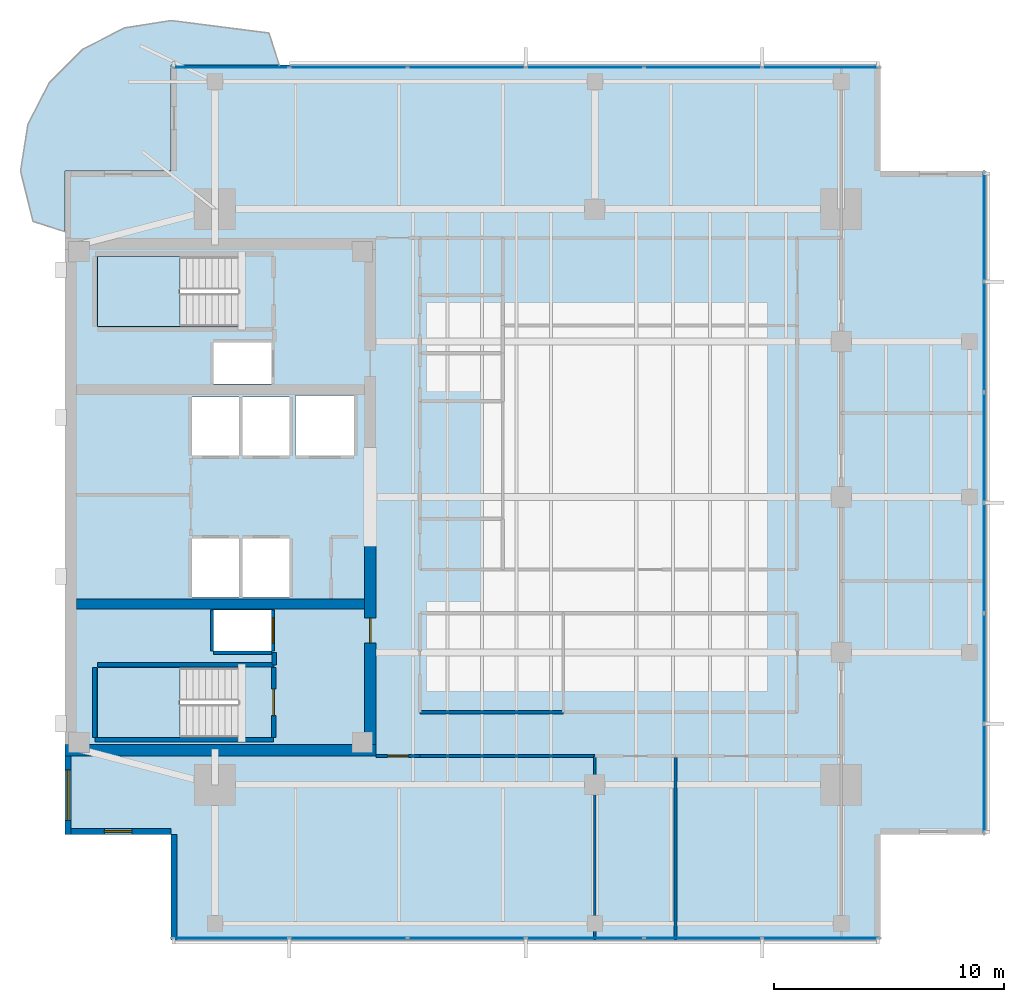
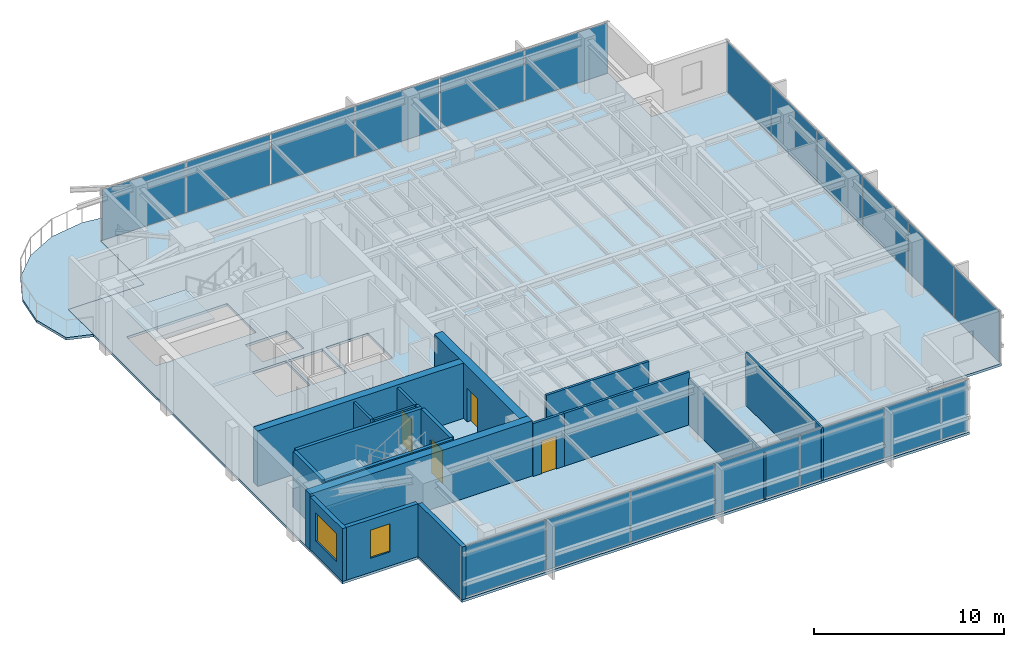
# One storey, part 7 of 14: 19 walls, 18 plates, 4 doors, 4 slabs, 2 windows, 6 openings, 5 elements without a shape of their own.
"""IFC4 building model written with IfcOpenShell, lengths in metres."""

from ifc_helpers import new_model, si_unit, direction, frame, frame_2d, origin, origin_2d, place, context, subcontext, project, spatial, polyline, rectangle, outline, extrude, material, layer, layer_set, type_object, element, fill, aggregate, save


model = new_model("IFC4")

# Units and contexts
model_context = context("Model", 3, precision=1e-05, world=origin(), true_north=direction((0.0, 1.0)))
body_context = subcontext(model_context, "Body", "Model", "MODEL_VIEW")
ifc_project = project(units=[si_unit("LENGTHUNIT", "METRE"), si_unit("AREAUNIT", "SQUARE_METRE"), si_unit("VOLUMEUNIT", "CUBIC_METRE"), si_unit("PLANEANGLEUNIT", "RADIAN"), si_unit("MASSUNIT", "GRAM", prefix="KILO")], contexts=[model_context])

# Site, building, storey
site_placement = place(None, origin())
site = spatial("IfcSite", under=ifc_project, at=site_placement, CompositionType="ELEMENT")
building_placement = place(site_placement, origin())
building = spatial("IfcBuilding", under=site, at=building_placement, Name="Kinhvarn Gate Tower", CompositionType="ELEMENT")
storey_placement = place(building_placement, frame((0.0, 0.0, 277.64990234375)))
storey = spatial("IfcBuildingStorey", under=building, at=storey_placement, Name="L74", CompositionType="ELEMENT", Elevation=277.64990234375)

# Curtain wall, plates
ifc_material_1 = material(Name="Anodised aluminium AW-6063", Category="aluminium")
ifc_layer_1 = layer(ifc_material_1, 0.179931640625)
ifc_layer_set_1 = layer_set([ifc_layer_1], Name="Anodised aluminium AW-6063")
curtain_wall_type = type_object("IfcCurtainWallType", Name="CW-SYS-3", PredefinedType="NOTDEFINED", material=ifc_layer_set_1)
curtain_wall_1_placement = place(storey_placement, origin())
curtain_wall_1 = element("IfcCurtainWall", 1, at=curtain_wall_1_placement, inside=storey, type_object=curtain_wall_type, Name="Curtain Wall CW3 (L74)", PredefinedType="NOTDEFINED")
ifc_material_2 = material(Name="Clear low-e double glazing", Category="glass")
ifc_layer_2 = layer(ifc_material_2, 0.031982421875)
ifc_layer_set_2 = layer_set([ifc_layer_2], Name="Clear low-e double glazing")
plate_type = type_object("IfcPlateType", Name="CW-PNL-VIS", PredefinedType="CURTAIN_PANEL", material=ifc_layer_set_2)
plate_1_placement = place(storey_placement, frame((11.682861328125, 6.090087890625, 0.070068359375), z_axis=(0.0, 0.0, 1.0), x_axis=(1.0, 0.0, 0.0)))
plate_1 = element("IfcPlate", 2, at=plate_1_placement, type_object=plate_type, Name="CW3 panel 1.1", PredefinedType="CURTAIN_PANEL", context=body_context, shape_type="SweptSolid", body=[
    extrude(rectangle(XDim=5.035888671875, YDim=0.031982421875, at=origin_2d()), origin(), (0.0, 0.0, 1.0), 3.25),
])
plate_2_placement = place(storey_placement, frame((16.800048828125, 6.090087890625, 0.070068359375), z_axis=(0.0, 0.0, 1.0), x_axis=(1.0, 0.0, 0.0)))
plate_2 = element("IfcPlate", 3, at=plate_2_placement, type_object=plate_type, Name="CW3 panel 2.1", PredefinedType="CURTAIN_PANEL", context=body_context, shape_type="SweptSolid", body=[
    extrude(rectangle(XDim=5.068359375, YDim=0.031982421875, at=origin_2d()), origin(), (0.0, 0.0, 1.0), 3.25),
])
plate_3_placement = place(storey_placement, frame((21.933349609375, 6.090087890625, 0.070068359375), z_axis=(0.0, 0.0, 1.0), x_axis=(1.0, 0.0, 0.0)))
plate_3 = element("IfcPlate", 4, at=plate_3_placement, type_object=plate_type, Name="CW3 panel 3.1", PredefinedType="CURTAIN_PANEL", context=body_context, shape_type="SweptSolid", body=[
    extrude(rectangle(XDim=5.068359375, YDim=0.031982421875, at=origin_2d()), origin(), (0.0, 0.0, 1.0), 3.25),
])
plate_4_placement = place(storey_placement, frame((27.066650390625, 6.090087890625, 0.070068359375), z_axis=(0.0, 0.0, 1.0), x_axis=(1.0, 0.0, 0.0)))
plate_4 = element("IfcPlate", 5, at=plate_4_placement, type_object=plate_type, Name="CW3 panel 4.1", PredefinedType="CURTAIN_PANEL", context=body_context, shape_type="SweptSolid", body=[
    extrude(rectangle(XDim=5.068359375, YDim=0.031982421875, at=origin_2d()), origin(), (0.0, 0.0, 1.0), 3.25),
])
plate_5_placement = place(storey_placement, frame((32.199951171875, 6.090087890625, 0.070068359375), z_axis=(0.0, 0.0, 1.0), x_axis=(1.0, 0.0, 0.0)))
plate_5 = element("IfcPlate", 6, at=plate_5_placement, type_object=plate_type, Name="CW3 panel 5.1", PredefinedType="CURTAIN_PANEL", context=body_context, shape_type="SweptSolid", body=[
    extrude(rectangle(XDim=5.068359375, YDim=0.031982421875, at=origin_2d()), origin(), (0.0, 0.0, 1.0), 3.25),
])
plate_6_placement = place(storey_placement, frame((37.317138671875, 6.090087890625, 0.070068359375), z_axis=(0.0, 0.0, 1.0), x_axis=(1.0, 0.0, 0.0)))
plate_6 = element("IfcPlate", 7, at=plate_6_placement, type_object=plate_type, Name="CW3 panel 6.1", PredefinedType="CURTAIN_PANEL", context=body_context, shape_type="SweptSolid", body=[
    extrude(rectangle(XDim=5.035888671875, YDim=0.031982421875, at=origin_2d()), origin(), (0.0, 0.0, 1.0), 3.25),
])
aggregate(curtain_wall_1, [plate_1, plate_2, plate_3, plate_4, plate_5, plate_6])

curtain_wall_2_placement = place(storey_placement, origin())
curtain_wall_2 = element("IfcCurtainWall", 8, at=curtain_wall_2_placement, inside=storey, type_object=curtain_wall_type, Name="Curtain Wall CW3 (L74)", PredefinedType="NOTDEFINED")
plate_7_placement = place(storey_placement, frame((37.317138671875, 43.909912109375, 0.070068359375), z_axis=(0.0, 0.0, 1.0), x_axis=(-1.0, 0.0, 0.0)))
plate_7 = element("IfcPlate", 9, at=plate_7_placement, type_object=plate_type, Name="CW3 panel 1.1", PredefinedType="CURTAIN_PANEL", context=body_context, shape_type="SweptSolid", body=[
    extrude(rectangle(XDim=5.035888671875, YDim=0.031982421875, at=origin_2d()), origin(), (0.0, 0.0, 1.0), 3.25),
])
plate_8_placement = place(storey_placement, frame((32.199951171875, 43.909912109375, 0.070068359375), z_axis=(0.0, 0.0, 1.0), x_axis=(-1.0, 0.0, 0.0)))
plate_8 = element("IfcPlate", 10, at=plate_8_placement, type_object=plate_type, Name="CW3 panel 2.1", PredefinedType="CURTAIN_PANEL", context=body_context, shape_type="SweptSolid", body=[
    extrude(rectangle(XDim=5.068359375, YDim=0.031982421875, at=origin_2d()), origin(), (0.0, 0.0, 1.0), 3.25),
])
plate_9_placement = place(storey_placement, frame((27.066650390625, 43.909912109375, 0.070068359375), z_axis=(0.0, 0.0, 1.0), x_axis=(-1.0, 0.0, 0.0)))
plate_9 = element("IfcPlate", 11, at=plate_9_placement, type_object=plate_type, Name="CW3 panel 3.1", PredefinedType="CURTAIN_PANEL", context=body_context, shape_type="SweptSolid", body=[
    extrude(rectangle(XDim=5.068359375, YDim=0.031982421875, at=origin_2d()), origin(), (0.0, 0.0, 1.0), 3.25),
])
plate_10_placement = place(storey_placement, frame((21.933349609375, 43.909912109375, 0.070068359375), z_axis=(0.0, 0.0, 1.0), x_axis=(-1.0, 0.0, 0.0)))
plate_10 = element("IfcPlate", 12, at=plate_10_placement, type_object=plate_type, Name="CW3 panel 4.1", PredefinedType="CURTAIN_PANEL", context=body_context, shape_type="SweptSolid", body=[
    extrude(rectangle(XDim=5.068359375, YDim=0.031982421875, at=origin_2d()), origin(), (0.0, 0.0, 1.0), 3.25),
])
plate_11_placement = place(storey_placement, frame((16.800048828125, 43.909912109375, 0.070068359375), z_axis=(0.0, 0.0, 1.0), x_axis=(-1.0, 0.0, 0.0)))
plate_11 = element("IfcPlate", 13, at=plate_11_placement, type_object=plate_type, Name="CW3 panel 5.1", PredefinedType="CURTAIN_PANEL", context=body_context, shape_type="SweptSolid", body=[
    extrude(rectangle(XDim=5.068359375, YDim=0.031982421875, at=origin_2d()), origin(), (0.0, 0.0, 1.0), 3.25),
])
plate_12_placement = place(storey_placement, frame((11.682861328125, 43.909912109375, 0.070068359375), z_axis=(0.0, 0.0, 1.0), x_axis=(-1.0, 0.0, 0.0)))
plate_12 = element("IfcPlate", 14, at=plate_12_placement, type_object=plate_type, Name="CW3 panel 6.1", PredefinedType="CURTAIN_PANEL", context=body_context, shape_type="SweptSolid", body=[
    extrude(rectangle(XDim=5.035888671875, YDim=0.031982421875, at=origin_2d()), origin(), (0.0, 0.0, 1.0), 3.25),
])
aggregate(curtain_wall_2, [plate_7, plate_8, plate_9, plate_10, plate_11, plate_12])

curtain_wall_3_placement = place(storey_placement, origin())
curtain_wall_3 = element("IfcCurtainWall", 15, at=curtain_wall_3_placement, inside=storey, type_object=curtain_wall_type, Name="Curtain Wall CW3 (L74)", PredefinedType="NOTDEFINED")
plate_13_placement = place(storey_placement, frame((44.409912109375, 13.016357421875, 0.070068359375), z_axis=(0.0, 0.0, 1.0), x_axis=(0.0, 1.0, 0.0)))
plate_13 = element("IfcPlate", 16, at=plate_13_placement, type_object=plate_type, Name="CW3 panel 1.1", PredefinedType="CURTAIN_PANEL", context=body_context, shape_type="SweptSolid", body=[
    extrude(rectangle(XDim=4.702392578125, YDim=0.031982421875, at=origin_2d()), origin(), (0.0, 0.0, 1.0), 3.25),
])
plate_14_placement = place(storey_placement, frame((44.409912109375, 17.800048828125, 0.070068359375), z_axis=(0.0, 0.0, 1.0), x_axis=(0.0, 1.0, 0.0)))
plate_14 = element("IfcPlate", 17, at=plate_14_placement, type_object=plate_type, Name="CW3 panel 2.1", PredefinedType="CURTAIN_PANEL", context=body_context, shape_type="SweptSolid", body=[
    extrude(rectangle(XDim=4.735107421875, YDim=0.031982421875, at=origin_2d()), origin(), (0.0, 0.0, 1.0), 3.25),
])
plate_15_placement = place(storey_placement, frame((44.409912109375, 22.60009765625, 0.070068359375), z_axis=(0.0, 0.0, 1.0), x_axis=(0.0, 1.0, 0.0)))
plate_15 = element("IfcPlate", 18, at=plate_15_placement, type_object=plate_type, Name="CW3 panel 3.1", PredefinedType="CURTAIN_PANEL", context=body_context, shape_type="SweptSolid", body=[
    extrude(rectangle(XDim=4.735107421875, YDim=0.031982421875, at=origin_2d()), origin(), (0.0, 0.0, 1.0), 3.25),
])
plate_16_placement = place(storey_placement, frame((44.409912109375, 27.39990234375, 0.070068359375), z_axis=(0.0, 0.0, 1.0), x_axis=(0.0, 1.0, 0.0)))
plate_16 = element("IfcPlate", 19, at=plate_16_placement, type_object=plate_type, Name="CW3 panel 4.1", PredefinedType="CURTAIN_PANEL", context=body_context, shape_type="SweptSolid", body=[
    extrude(rectangle(XDim=4.735107421875, YDim=0.031982421875, at=origin_2d()), origin(), (0.0, 0.0, 1.0), 3.25),
])
plate_17_placement = place(storey_placement, frame((44.409912109375, 32.199951171875, 0.070068359375), z_axis=(0.0, 0.0, 1.0), x_axis=(0.0, 1.0, 0.0)))
plate_17 = element("IfcPlate", 20, at=plate_17_placement, type_object=plate_type, Name="CW3 panel 5.1", PredefinedType="CURTAIN_PANEL", context=body_context, shape_type="SweptSolid", body=[
    extrude(rectangle(XDim=4.735107421875, YDim=0.031982421875, at=origin_2d()), origin(), (0.0, 0.0, 1.0), 3.25),
])
plate_18_placement = place(storey_placement, frame((44.409912109375, 36.983642578125, 0.070068359375), z_axis=(0.0, 0.0, 1.0), x_axis=(0.0, 1.0, 0.0)))
plate_18 = element("IfcPlate", 21, at=plate_18_placement, type_object=plate_type, Name="CW3 panel 6.1", PredefinedType="CURTAIN_PANEL", context=body_context, shape_type="SweptSolid", body=[
    extrude(rectangle(XDim=4.702392578125, YDim=0.031982421875, at=origin_2d()), origin(), (0.0, 0.0, 1.0), 3.25),
])
aggregate(curtain_wall_3, [plate_13, plate_14, plate_15, plate_16, plate_17, plate_18])

# Slabs
ifc_material_3 = material(Name="Precast white architectural concrete C40/50", Category="concrete")
ifc_layer_3 = layer(ifc_material_3, 0.159912109375)
ifc_layer_set_3 = layer_set([ifc_layer_3], Name="Precast white architectural concrete C40/50")
slab_type_1 = type_object("IfcSlabType", Name="SLB-BAL-160", PredefinedType="FLOOR", material=ifc_layer_set_3)
slab_1_placement = place(storey_placement, frame((0.0, 0.0, -0.159912109375)))
element("IfcSlab", 22, at=slab_1_placement, inside=storey, type_object=slab_type_1, Name="S-Carve Curved Terrace Balcony Slab L74 (NW)", PredefinedType="FLOOR", context=body_context, shape_type="SweptSolid", body=[
    extrude(outline(polyline([(13.799072265625, 44.0), (13.34912109375, 45.39599609375), (9.10009765625, 45.93896484375), (7.079345703125, 45.618896484375), (5.256591796875, 44.690185546875), (3.809814453125, 43.243408203125), (2.881103515625, 41.420654296875), (2.56103515625, 39.39990234375), (3.10400390625, 37.217041015625), (4.5, 36.76708984375), (4.5, 39.39990234375), (9.10009765625, 39.39990234375), (9.10009765625, 44.0), (13.799072265625, 44.0)])), origin(), (0.0, 0.0, 1.0), 0.159912109375),
])
ifc_material_4 = material(Name="Concrete C40/50", Category="concrete")
ifc_layer_4 = layer(ifc_material_4, 0.159912109375)
ifc_layer_set_4 = layer_set([ifc_layer_4], Name="Concrete C40/50")
slab_type_2 = type_object("IfcSlabType", Name="SLB-FLR-160", PredefinedType="FLOOR", material=ifc_layer_set_4)
slab_2_placement = place(storey_placement, frame((0.0, 0.0, -0.159912109375)))
element("IfcSlab", 23, at=slab_2_placement, inside=storey, type_object=slab_type_2, Name="Suspended Floor Slab L74", PredefinedType="FLOOR", context=body_context, shape_type="SweptSolid", body=[
    extrude(outline(polyline([(9.10009765625, 6.0), (39.89990234375, 6.0), (39.89990234375, 10.60009765625), (44.5, 10.60009765625), (44.5, 39.39990234375), (39.89990234375, 39.39990234375), (39.89990234375, 44.0), (9.10009765625, 44.0), (9.10009765625, 39.39990234375), (4.5, 39.39990234375), (4.5, 10.60009765625), (9.10009765625, 10.60009765625), (9.10009765625, 6.0)]), holes=[polyline([(5.89990234375, 14.800048828125), (12.0, 14.800048828125), (12.0, 17.85009765625), (5.89990234375, 17.85009765625), (5.89990234375, 14.800048828125)]), polyline([(5.89990234375, 32.64990234375), (12.0, 32.64990234375), (12.0, 35.699951171875), (5.89990234375, 35.699951171875), (5.89990234375, 32.64990234375)]), polyline([(10.0, 20.89990234375), (12.050048828125, 20.89990234375), (12.050048828125, 23.449951171875), (10.0, 23.449951171875), (10.0, 20.89990234375)]), polyline([(12.199951171875, 20.89990234375), (14.25, 20.89990234375), (14.25, 23.449951171875), (12.199951171875, 23.449951171875), (12.199951171875, 20.89990234375)]), polyline([(10.0, 27.050048828125), (12.050048828125, 27.050048828125), (12.050048828125, 29.60009765625), (10.0, 29.60009765625), (10.0, 27.050048828125)]), polyline([(12.199951171875, 27.050048828125), (14.25, 27.050048828125), (14.25, 29.60009765625), (12.199951171875, 29.60009765625), (12.199951171875, 27.050048828125)]), polyline([(14.5, 27.050048828125), (17.050048828125, 27.050048828125), (17.050048828125, 29.64990234375), (14.5, 29.64990234375), (14.5, 27.050048828125)]), polyline([(10.949951171875, 18.550048828125), (13.449951171875, 18.550048828125), (13.449951171875, 20.35009765625), (10.949951171875, 20.35009765625), (10.949951171875, 18.550048828125)]), polyline([(10.949951171875, 30.14990234375), (13.449951171875, 30.14990234375), (13.449951171875, 31.949951171875), (10.949951171875, 31.949951171875), (10.949951171875, 30.14990234375)])]), origin(), (0.0, 0.0, 1.0), 0.159912109375),
])

# Stair, slab
stair_type = type_object("IfcStairType", Name="STR-DLG-178", PredefinedType="HALF_TURN_STAIR", material=ifc_material_4)
stair_1_placement = place(storey_placement, origin())
stair_1 = element("IfcStair", 24, at=stair_1_placement, inside=storey, type_object=stair_type, Name="L74 Core Smokeproof Exit Stair ST1", PredefinedType="HALF_TURN_STAIR")
ifc_layer_5 = layer(ifc_material_4, 0.199951171875)
ifc_layer_set_5 = layer_set([ifc_layer_5], Name="Concrete C40/50")
slab_type_3 = type_object("IfcSlabType", Name="SLB-ST-LND", PredefinedType="LANDING", material=ifc_layer_set_5)
slab_3_placement = place(storey_placement, frame((0.0, 0.0, 1.5751953125)))
slab_3 = element("IfcSlab", 25, at=slab_3_placement, type_object=slab_type_3, Name="ST1 landing 1", PredefinedType="LANDING", context=body_context, shape_type="SweptSolid", body=[
    extrude(outline(polyline([(9.47998046875, 17.85009765625), (5.89990234375, 17.85009765625), (5.89990234375, 14.800048828125), (9.47998046875, 14.800048828125), (9.47998046875, 17.85009765625)])), origin(), (0.0, 0.0, 1.0), 0.199951171875),
])
aggregate(stair_1, [slab_3])

stair_2_placement = place(storey_placement, origin())
stair_2 = element("IfcStair", 26, at=stair_2_placement, inside=storey, type_object=stair_type, Name="L74 Core Smokeproof Exit Stair ST2", PredefinedType="HALF_TURN_STAIR")
slab_4_placement = place(storey_placement, frame((0.0, 0.0, 1.5751953125)))
slab_4 = element("IfcSlab", 27, at=slab_4_placement, type_object=slab_type_3, Name="ST2 landing 1", PredefinedType="LANDING", context=body_context, shape_type="SweptSolid", body=[
    extrude(outline(polyline([(9.47998046875, 35.699951171875), (5.89990234375, 35.699951171875), (5.89990234375, 32.64990234375), (9.47998046875, 32.64990234375), (9.47998046875, 35.699951171875)])), origin(), (0.0, 0.0, 1.0), 0.199951171875),
])
aggregate(stair_2, [slab_4])

# Walls
ifc_material_5 = material(Name="Concrete C50/60", Category="concrete")
ifc_layer_6 = layer(ifc_material_5, 0.449951171875)
ifc_layer_set_6 = layer_set([ifc_layer_6], Name="Concrete C50/60")
wall_type_1 = type_object("IfcWallType", Name="WL-CORE-450", PredefinedType="SHEAR", material=ifc_layer_set_6)
wall_1_placement = place(storey_placement, frame((5.0, 20.60009765625, 0.0), z_axis=(0.0, 0.0, 1.0), x_axis=(1.0, 0.0, 0.0)))
element("IfcWall", 28, at=wall_1_placement, inside=storey, type_object=wall_type_1, Name="Core South Spine Shear Wall L74 450 mm", PredefinedType="SHEAR", context=body_context, shape_type="SweptSolid", body=[
    extrude(rectangle(XDim=12.5, YDim=0.449951171875, at=frame_2d((6.25, 0.0))), origin(), (0.0, 0.0, 1.0), 3.550048828125),
])
ifc_layer_7 = layer(ifc_material_5, 0.5)
ifc_layer_set_7 = layer_set([ifc_layer_7], Name="Concrete C50/60")
wall_type_2 = type_object("IfcWallType", Name="WL-CORE-500", PredefinedType="SHEAR", material=ifc_layer_set_7)
wall_2_placement = place(storey_placement, frame((4.5, 14.25, 0.0), z_axis=(0.0, 0.0, 1.0), x_axis=(1.0, 0.0, 0.0)))
element("IfcWall", 29, at=wall_2_placement, inside=storey, type_object=wall_type_2, Name="Core South Shear Wall L74 500 mm", PredefinedType="SHEAR", context=body_context, shape_type="SweptSolid", body=[
    extrude(rectangle(XDim=13.5, YDim=0.5, at=frame_2d((6.75, 0.0))), origin(), (0.0, 0.0, 1.0), 3.550048828125),
])

# Wall, opening, door
wall_3_placement = place(storey_placement, frame((17.75, 14.5, 0.0), z_axis=(0.0, 0.0, 1.0), x_axis=(0.0, 1.0, 0.0)))
wall_3 = element("IfcWall", 30, at=wall_3_placement, inside=storey, type_object=wall_type_2, Name="Core East-South Shear Pier L74 500 mm", PredefinedType="SHEAR", context=body_context, shape_type="SweptSolid", body=[
    extrude(rectangle(XDim=8.949951171875, YDim=0.5, at=frame_2d((4.47509765625, 0.0))), origin(), (0.0, 0.0, 1.0), 3.550048828125),
])
opening_1_placement = place(wall_3_placement, frame((4.39990234375, 0.0, 0.0)))
opening_1 = element("IfcOpeningElement", 31, at=opening_1_placement, cuts=wall_3, Name="Opening FD-02", PredefinedType="OPENING", context=body_context, shape_type="SweptSolid", body=[
    extrude(rectangle(XDim=1.10009765625, YDim=2.14990234375, at=frame_2d((0.550048828125, 1.074951171875))), frame((0.0, 0.260009765625, 0.0), z_axis=(0.0, -1.0, 0.0), x_axis=(1.0, 0.0, 0.0)), (0.0, 0.0, 1.0), 0.52001953125),
])
door_type_1 = type_object("IfcDoorType", Name="DR-FD-1100", OperationType="NOTDEFINED", PredefinedType="DOOR", material=ifc_material_1)
door_1_placement = place(opening_1_placement, origin())
door_1 = element("IfcDoor", 32, at=door_1_placement, inside=storey, type_object=door_type_1, Name="Firefighting Lobby Core Door (L74)", OperationType="SINGLE_SWING_RIGHT", OverallHeight=2.14990234375, OverallWidth=1.10009765625, PredefinedType="DOOR", context=body_context, shape_type="SweptSolid", body=[
    extrude(rectangle(XDim=1.10009765625, YDim=2.14990234375, at=frame_2d((0.550048828125, 1.074951171875))), frame((0.0, 0.02490234375, 0.0), z_axis=(0.0, -1.0, 0.0), x_axis=(1.0, 0.0, 0.0)), (0.0, 0.0, 1.0), 0.050048828125),
])
fill(opening_1, door_1)

# Wall, opening, window
ifc_material_6 = material(Name="Fired architectural terracotta", Category="masonry")
ifc_layer_8 = layer(ifc_material_6, 0.25)
ifc_layer_set_8 = layer_set([ifc_layer_8], Name="Fired architectural terracotta")
wall_type_3 = type_object("IfcWallType", Name="WL-EXT-250", PredefinedType="SOLIDWALL", material=ifc_layer_set_8)
wall_4_placement = place(storey_placement, frame((4.625, 14.0, 0.0), z_axis=(0.0, 0.0, 1.0), x_axis=(0.0, -1.0, 0.0)))
wall_4 = element("IfcWall", 33, at=wall_4_placement, inside=storey, type_object=wall_type_3, Name="Exterior Solidwall Wall EW-250 (L74 West-South)", PredefinedType="SOLIDWALL", context=body_context, shape_type="SweptSolid", body=[
    extrude(rectangle(XDim=3.39990234375, YDim=0.25, at=frame_2d((1.699951171875, 0.0))), origin(), (0.0, 0.0, 1.0), 3.39013671875),
])
opening_2_placement = place(wall_4_placement, frame((0.60009765625, 0.0, 0.89990234375)))
opening_2 = element("IfcOpeningElement", 34, at=opening_2_placement, cuts=wall_4, Name="Opening WN-01", PredefinedType="OPENING", context=body_context, shape_type="SweptSolid", body=[
    extrude(rectangle(XDim=2.199951171875, YDim=1.800048828125, at=frame_2d((1.10009765625, 0.89990234375))), frame((0.0, 0.135009765625, 0.0), z_axis=(0.0, -1.0, 0.0), x_axis=(1.0, 0.0, 0.0)), (0.0, 0.0, 1.0), 0.27001953125),
])
window_type_1 = type_object("IfcWindowType", Name="WIN-RIB-2200", PartitioningType="SINGLE_PANEL", PredefinedType="WINDOW", material=ifc_material_2)
window_1_placement = place(opening_2_placement, origin())
window_1 = element("IfcWindow", 35, at=window_1_placement, inside=storey, type_object=window_type_1, Name="West Flank Double-Glazed Ribbon Window 2200x1800 mm (L74)", OverallHeight=1.800048828125, OverallWidth=2.199951171875, PartitioningType="SINGLE_PANEL", PredefinedType="WINDOW", context=body_context, shape_type="SweptSolid", body=[
    extrude(rectangle(XDim=2.199951171875, YDim=1.800048828125, at=frame_2d((1.10009765625, 0.89990234375))), frame((0.0, 0.030029296875, 0.0), z_axis=(0.0, -1.0, 0.0), x_axis=(1.0, 0.0, 0.0)), (0.0, 0.0, 1.0), 0.06005859375),
])
fill(opening_2, window_1)

wall_5_placement = place(storey_placement, frame((4.5, 10.72509765625, 0.0), z_axis=(0.0, 0.0, 1.0), x_axis=(1.0, 0.0, 0.0)))
wall_5 = element("IfcWall", 36, at=wall_5_placement, inside=storey, type_object=wall_type_3, Name="Exterior Solidwall Wall EW-250 (L74 SW-Notch-1)", PredefinedType="SOLIDWALL", context=body_context, shape_type="SweptSolid", body=[
    extrude(rectangle(XDim=4.60009765625, YDim=0.25, at=frame_2d((2.300048828125, 0.0))), origin(), (0.0, 0.0, 1.0), 3.39013671875),
])
opening_3_placement = place(wall_5_placement, frame((1.699951171875, 0.0, 0.89990234375)))
opening_3 = element("IfcOpeningElement", 37, at=opening_3_placement, cuts=wall_5, Name="Opening WN-02", PredefinedType="OPENING", context=body_context, shape_type="SweptSolid", body=[
    extrude(rectangle(XDim=1.199951171875, YDim=1.800048828125, at=frame_2d((0.60009765625, 0.89990234375))), frame((0.0, 0.135009765625, 0.0), z_axis=(0.0, -1.0, 0.0), x_axis=(1.0, 0.0, 0.0)), (0.0, 0.0, 1.0), 0.27001953125),
])
window_type_2 = type_object("IfcWindowType", Name="WIN-NTC-1200", PartitioningType="SINGLE_PANEL", PredefinedType="WINDOW", material=ifc_material_2)
window_2_placement = place(opening_3_placement, origin())
window_2 = element("IfcWindow", 38, at=window_2_placement, inside=storey, type_object=window_type_2, Name="Recessed Corner Notch Punched Window 1200x1800 mm (L74)", OverallHeight=1.800048828125, OverallWidth=1.199951171875, PartitioningType="SINGLE_PANEL", PredefinedType="WINDOW", context=body_context, shape_type="SweptSolid", body=[
    extrude(rectangle(XDim=1.199951171875, YDim=1.800048828125, at=frame_2d((0.60009765625, 0.89990234375))), frame((0.0, 0.030029296875, 0.0), z_axis=(0.0, -1.0, 0.0), x_axis=(1.0, 0.0, 0.0)), (0.0, 0.0, 1.0), 0.06005859375),
])
fill(opening_3, window_2)

# Walls
wall_6_placement = place(storey_placement, frame((9.22509765625, 10.60009765625, 0.0), z_axis=(0.0, 0.0, 1.0), x_axis=(0.0, -1.0, 0.0)))
element("IfcWall", 39, at=wall_6_placement, inside=storey, type_object=wall_type_3, Name="Exterior Solidwall Wall EW-250 (L74 SW-Notch-2)", PredefinedType="SOLIDWALL", context=body_context, shape_type="SweptSolid", body=[
    extrude(rectangle(XDim=4.60009765625, YDim=0.25, at=frame_2d((2.300048828125, 0.0))), origin(), (0.0, 0.0, 1.0), 3.39013671875),
])
ifc_material_7 = material(Name="Gypsum acoustic partition board")
ifc_layer_9 = layer(ifc_material_7, 0.1201171875)
ifc_layer_set_9 = layer_set([ifc_layer_9], Name="Gypsum acoustic partition board")
wall_type_4 = type_object("IfcWallType", Name="WL-PRT-120", PredefinedType="PARTITIONING", material=ifc_layer_set_9)
wall_7_placement = place(storey_placement, frame((27.5, 6.010009765625, 0.0), z_axis=(0.0, 0.0, 1.0), x_axis=(0.0, 1.0, 0.0)))
element("IfcWall", 40, at=wall_7_placement, inside=storey, type_object=wall_type_4, Name="Interior Partition PW-120 (L74)", PredefinedType="PARTITIONING", context=body_context, shape_type="SweptSolid", body=[
    extrude(rectangle(XDim=7.989990234375, YDim=0.1201171875, at=frame_2d((3.9951171875, 0.0))), origin(), (0.0, 0.0, 1.0), 2.989990234375),
])
wall_8_placement = place(storey_placement, frame((31.0, 6.010009765625, 0.0), z_axis=(0.0, 0.0, 1.0), x_axis=(0.0, 1.0, 0.0)))
element("IfcWall", 41, at=wall_8_placement, inside=storey, type_object=wall_type_4, Name="Interior Partition PW-120 (L74)", PredefinedType="PARTITIONING", context=body_context, shape_type="SweptSolid", body=[
    extrude(rectangle(XDim=7.989990234375, YDim=0.1201171875, at=frame_2d((3.9951171875, 0.0))), origin(), (0.0, 0.0, 1.0), 3.39013671875),
])

# Wall, opening, door
ifc_layer_10 = layer(ifc_material_7, 0.14990234375)
ifc_layer_set_10 = layer_set([ifc_layer_10], Name="Gypsum acoustic partition board")
wall_type_5 = type_object("IfcWallType", Name="WL-PRT-150F", PredefinedType="PARTITIONING", material=ifc_layer_set_10)
wall_9_placement = place(storey_placement, frame((18.0, 14.0, 0.0), z_axis=(0.0, 0.0, 1.0), x_axis=(1.0, 0.0, 0.0)))
wall_9 = element("IfcWall", 42, at=wall_9_placement, inside=storey, type_object=wall_type_5, Name="Interior Partition PW-150F (L74)", PredefinedType="PARTITIONING", context=body_context, shape_type="SweptSolid", body=[
    extrude(rectangle(XDim=1.89990234375, YDim=0.14990234375, at=frame_2d((0.949951171875, 0.0))), origin(), (0.0, 0.0, 1.0), 3.39013671875),
])
opening_4_placement = place(wall_9_placement, frame((0.5, 0.0, 0.0)))
opening_4 = element("IfcOpeningElement", 43, at=opening_4_placement, cuts=wall_9, Name="Opening ID-03", PredefinedType="OPENING", context=body_context, shape_type="SweptSolid", body=[
    extrude(rectangle(XDim=0.89990234375, YDim=2.10009765625, at=frame_2d((0.449951171875, 1.050048828125))), frame((0.0, 0.0849609375, 0.0), z_axis=(0.0, -1.0, 0.0), x_axis=(1.0, 0.0, 0.0)), (0.0, 0.0, 1.0), 0.169921875),
])
door_type_2 = type_object("IfcDoorType", Name="DR-INT-900", OperationType="NOTDEFINED", PredefinedType="DOOR", material=ifc_material_1)
door_2_placement = place(opening_4_placement, origin())
door_2 = element("IfcDoor", 44, at=door_2_placement, inside=storey, type_object=door_type_2, Name="Cellular Office & Restroom Door 900x2100 mm (L74)", OperationType="SINGLE_SWING_RIGHT", OverallHeight=2.10009765625, OverallWidth=0.89990234375, PredefinedType="DOOR", context=body_context, shape_type="SweptSolid", body=[
    extrude(rectangle(XDim=0.89990234375, YDim=2.10009765625, at=frame_2d((0.449951171875, 1.050048828125))), frame((0.0, 0.02490234375, 0.0), z_axis=(0.0, -1.0, 0.0), x_axis=(1.0, 0.0, 0.0)), (0.0, 0.0, 1.0), 0.050048828125),
])
fill(opening_4, door_2)

# Walls
wall_10_placement = place(storey_placement, frame((19.89990234375, 15.89990234375, 0.0), z_axis=(0.0, 0.0, 1.0), x_axis=(1.0, 0.0, 0.0)))
element("IfcWall", 45, at=wall_10_placement, inside=storey, type_object=wall_type_5, Name="Interior Partition PW-150F (L74)", PredefinedType="PARTITIONING", context=body_context, shape_type="SweptSolid", body=[
    extrude(rectangle(XDim=6.22998046875, YDim=0.14990234375, at=frame_2d((3.114990234375, 0.0))), origin(), (0.0, 0.0, 1.0), 3.39013671875),
])
wall_11_placement = place(storey_placement, frame((19.89990234375, 14.0, 0.0), z_axis=(0.0, 0.0, 1.0), x_axis=(1.0, 0.0, 0.0)))
element("IfcWall", 46, at=wall_11_placement, inside=storey, type_object=wall_type_5, Name="Interior Partition PW-150F (L74)", PredefinedType="PARTITIONING", context=body_context, shape_type="SweptSolid", body=[
    extrude(rectangle(XDim=7.60009765625, YDim=0.14990234375, at=frame_2d((3.800048828125, 0.0))), origin(), (0.0, 0.0, 1.0), 3.39013671875),
])
ifc_layer_11 = layer(ifc_material_7, 0.199951171875)
ifc_layer_set_11 = layer_set([ifc_layer_11], Name="Gypsum acoustic partition board")
wall_type_6 = type_object("IfcWallType", Name="WL-PRT-200", PredefinedType="PARTITIONING", material=ifc_layer_set_11)
wall_12_placement = place(storey_placement, frame((13.580078125, 17.9599609375, 0.0), z_axis=(0.0, 0.0, 1.0), x_axis=(0.0, 1.0, 0.0)))
element("IfcWall", 47, at=wall_12_placement, inside=storey, type_object=wall_type_6, Name="Interior Partition PW-200 (L74)", PredefinedType="PARTITIONING", context=body_context, shape_type="SweptSolid", body=[
    extrude(rectangle(XDim=0.5400390625, YDim=0.199951171875, at=frame_2d((0.27001953125, 0.0))), origin(), (0.0, 0.0, 1.0), 3.39013671875),
])
ifc_layer_12 = layer(ifc_material_7, 0.14990234375)
ifc_layer_set_12 = layer_set([ifc_layer_12], Name="Gypsum acoustic partition board")
wall_type_7 = type_object("IfcWallType", Name="WL-SHF-150", PredefinedType="PARTITIONING", material=ifc_layer_set_12)
wall_13_placement = place(storey_placement, frame((10.949951171875, 18.47509765625, 0.0), z_axis=(0.0, 0.0, 1.0), x_axis=(1.0, 0.0, 0.0)))
element("IfcWall", 48, at=wall_13_placement, inside=storey, type_object=wall_type_7, Name="Elevator FF1 Hoistway Wall S (L74)", PredefinedType="PARTITIONING", context=body_context, shape_type="SweptSolid", body=[
    extrude(rectangle(XDim=2.5, YDim=0.14990234375, at=frame_2d((1.25, 0.0))), origin(), (0.0, 0.0, 1.0), 3.39013671875),
])
wall_14_placement = place(storey_placement, frame((10.875, 18.550048828125, 0.0), z_axis=(0.0, 0.0, 1.0), x_axis=(0.0, 1.0, 0.0)))
element("IfcWall", 49, at=wall_14_placement, inside=storey, type_object=wall_type_7, Name="Elevator FF1 Hoistway Wall W (L74)", PredefinedType="PARTITIONING", context=body_context, shape_type="SweptSolid", body=[
    extrude(rectangle(XDim=1.800048828125, YDim=0.14990234375, at=frame_2d((0.89990234375, 0.0))), origin(), (0.0, 0.0, 1.0), 3.39013671875),
])

# Wall, opening, door
wall_15_placement = place(storey_placement, frame((13.52490234375, 18.550048828125, 0.0), z_axis=(0.0, 0.0, 1.0), x_axis=(0.0, 1.0, 0.0)))
wall_15 = element("IfcWall", 50, at=wall_15_placement, inside=storey, type_object=wall_type_7, Name="Elevator FF1 Landing Wall (L74)", PredefinedType="PARTITIONING", context=body_context, shape_type="SweptSolid", body=[
    extrude(rectangle(XDim=1.800048828125, YDim=0.14990234375, at=frame_2d((0.89990234375, 0.0))), origin(), (0.0, 0.0, 1.0), 3.39013671875),
])
opening_5_placement = place(wall_15_placement, frame((0.35009765625, 0.0, 0.0)))
opening_5 = element("IfcOpeningElement", 51, at=opening_5_placement, cuts=wall_15, Name="Opening LD-03", PredefinedType="OPENING", context=body_context, shape_type="SweptSolid", body=[
    extrude(rectangle(XDim=1.10009765625, YDim=2.199951171875, at=frame_2d((0.550048828125, 1.10009765625))), frame((0.0, 0.0849609375, 0.0), z_axis=(0.0, -1.0, 0.0), x_axis=(1.0, 0.0, 0.0)), (0.0, 0.0, 1.0), 0.169921875),
])
door_type_3 = type_object("IfcDoorType", Name="DR-LND-FF", OperationType="NOTDEFINED", PredefinedType="DOOR", material=ifc_material_1)
door_3_placement = place(opening_5_placement, origin())
door_3 = element("IfcDoor", 52, at=door_3_placement, inside=storey, type_object=door_type_3, Name="Elevator FF1 Sliding Landing Door (L74)", OperationType="DOUBLE_DOOR_SLIDING", OverallHeight=2.199951171875, OverallWidth=1.10009765625, PredefinedType="DOOR", context=body_context, shape_type="SweptSolid", body=[
    extrude(rectangle(XDim=1.10009765625, YDim=2.199951171875, at=frame_2d((0.550048828125, 1.10009765625))), frame((0.0, 0.02490234375, 0.0), z_axis=(0.0, -1.0, 0.0), x_axis=(1.0, 0.0, 0.0)), (0.0, 0.0, 1.0), 0.050048828125),
])
fill(opening_5, door_3)

# Walls
ifc_layer_13 = layer(ifc_material_4, 0.199951171875)
ifc_layer_set_13 = layer_set([ifc_layer_13], Name="Concrete C40/50")
wall_type_8 = type_object("IfcWallType", Name="WL-SHF-200", PredefinedType="SOLIDWALL", material=ifc_layer_set_13)
wall_16_placement = place(storey_placement, frame((5.800048828125, 14.699951171875, 0.0), z_axis=(0.0, 0.0, 1.0), x_axis=(1.0, 0.0, 0.0)))
element("IfcWall", 53, at=wall_16_placement, inside=storey, type_object=wall_type_8, Name="Stair ST1 South Shaft Wall (L74)", PredefinedType="SOLIDWALL", context=body_context, shape_type="SweptSolid", body=[
    extrude(rectangle(XDim=7.75, YDim=0.199951171875, at=frame_2d((3.875, 0.0))), origin(), (0.0, 0.0, 1.0), 3.550048828125),
])
wall_17_placement = place(storey_placement, frame((5.7900390625, 14.800048828125, 0.0), z_axis=(0.0, 0.0, 1.0), x_axis=(0.0, 1.0, 0.0)))
element("IfcWall", 54, at=wall_17_placement, inside=storey, type_object=wall_type_8, Name="Stair ST1 West Shaft Wall (L74)", PredefinedType="SOLIDWALL", context=body_context, shape_type="SweptSolid", body=[
    extrude(rectangle(XDim=3.050048828125, YDim=0.199951171875, at=frame_2d((1.52490234375, 0.0))), origin(), (0.0, 0.0, 1.0), 3.550048828125),
])
wall_18_placement = place(storey_placement, frame((5.89990234375, 17.9599609375, 0.0), z_axis=(0.0, 0.0, 1.0), x_axis=(1.0, 0.0, 0.0)))
element("IfcWall", 55, at=wall_18_placement, inside=storey, type_object=wall_type_8, Name="Stair ST1 North Shaft Wall (L74)", PredefinedType="SOLIDWALL", context=body_context, shape_type="SweptSolid", body=[
    extrude(rectangle(XDim=7.66015625, YDim=0.199951171875, at=frame_2d((3.830078125, 0.0))), origin(), (0.0, 0.0, 1.0), 3.550048828125),
])

# Wall, opening, door
wall_19_placement = place(storey_placement, frame((13.56005859375, 14.800048828125, 0.0), z_axis=(0.0, 0.0, 1.0), x_axis=(0.0, 1.0, 0.0)))
wall_19 = element("IfcWall", 56, at=wall_19_placement, inside=storey, type_object=wall_type_8, Name="Stair ST1 East Entry Wall (L74)", PredefinedType="SOLIDWALL", context=body_context, shape_type="SweptSolid", body=[
    extrude(rectangle(XDim=3.050048828125, YDim=0.199951171875, at=frame_2d((1.52490234375, 0.0))), origin(), (0.0, 0.0, 1.0), 3.550048828125),
])
opening_6_placement = place(wall_19_placement, frame((0.949951171875, 0.0, 0.0)))
opening_6 = element("IfcOpeningElement", 57, at=opening_6_placement, cuts=wall_19, Name="Opening FD-01", PredefinedType="OPENING", context=body_context, shape_type="SweptSolid", body=[
    extrude(rectangle(XDim=1.14990234375, YDim=2.14990234375, at=frame_2d((0.574951171875, 1.074951171875))), frame((0.0, 0.10986328125, 0.0), z_axis=(0.0, -1.0, 0.0), x_axis=(1.0, 0.0, 0.0)), (0.0, 0.0, 1.0), 0.219970703125),
])
door_type_4 = type_object("IfcDoorType", Name="DR-ST-1150", OperationType="NOTDEFINED", PredefinedType="DOOR", material=ifc_material_1)
door_4_placement = place(opening_6_placement, origin())
door_4 = element("IfcDoor", 58, at=door_4_placement, inside=storey, type_object=door_type_4, Name="Exit Stair ST1 Fire Door (L74)", OperationType="SINGLE_SWING_RIGHT", OverallHeight=2.14990234375, OverallWidth=1.14990234375, PredefinedType="DOOR", context=body_context, shape_type="SweptSolid", body=[
    extrude(rectangle(XDim=1.14990234375, YDim=2.14990234375, at=frame_2d((0.574951171875, 1.074951171875))), frame((0.0, 0.02490234375, 0.0), z_axis=(0.0, -1.0, 0.0), x_axis=(1.0, 0.0, 0.0)), (0.0, 0.0, 1.0), 0.050048828125),
])
fill(opening_6, door_4)

save(model, "model.ifc")
